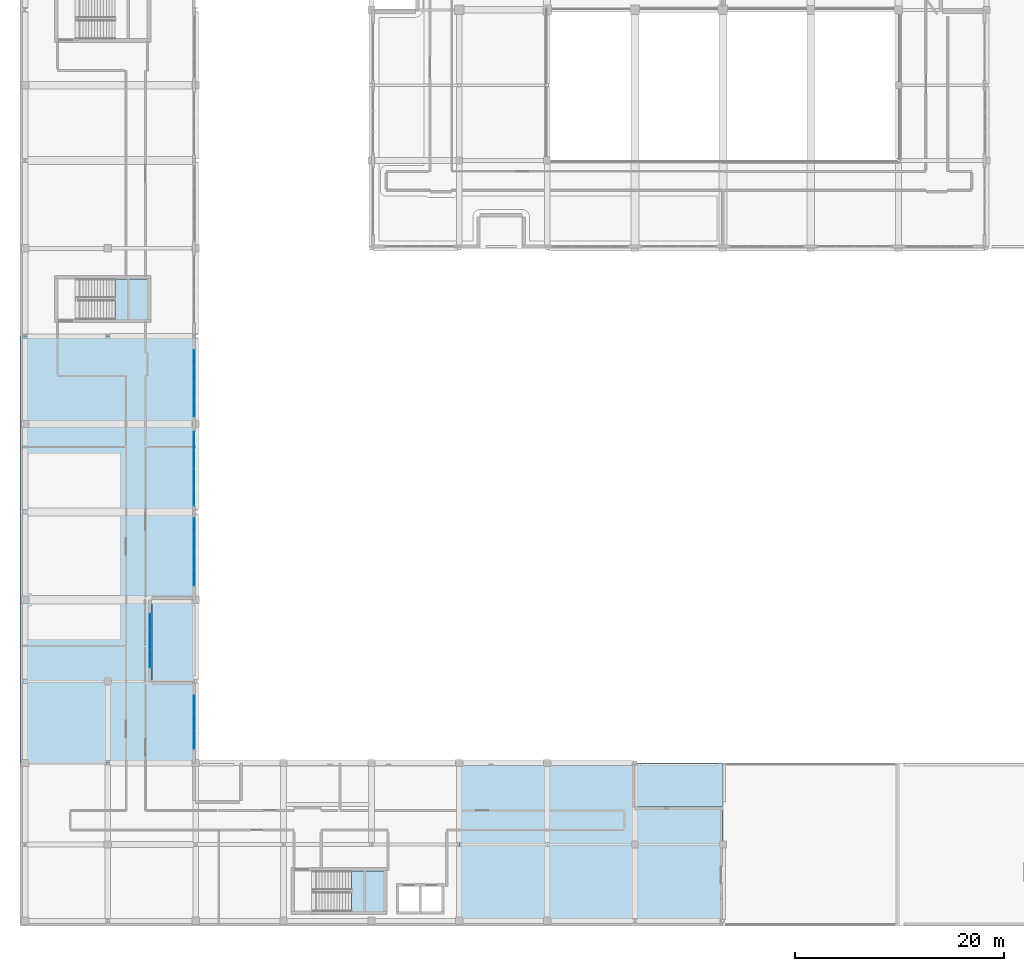
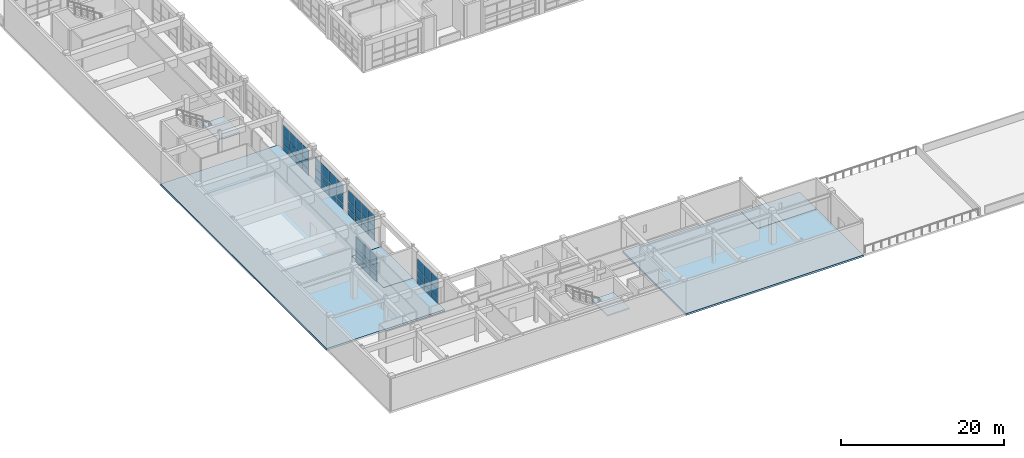
# One storey, part 49 of 78: 54 plates, 6 slabs, 7 elements without a shape of their own.
"""IFC4 building model written with IfcOpenShell, lengths in metres."""

from ifc_helpers import new_model, si_unit, direction, frame, origin, origin_2d, place, context, subcontext, project, spatial, polyline, rectangle, outline, extrude, material, layer, layer_set, type_object, element, aggregate, save


model = new_model("IFC4")

# Units and contexts
model_context = context("Model", 3, precision=1e-05, world=origin(), true_north=direction((0.0, 1.0)))
body_context = subcontext(model_context, "Body", "Model", "MODEL_VIEW")
ifc_project = project(units=[si_unit("LENGTHUNIT", "METRE"), si_unit("AREAUNIT", "SQUARE_METRE"), si_unit("VOLUMEUNIT", "CUBIC_METRE"), si_unit("PLANEANGLEUNIT", "RADIAN"), si_unit("MASSUNIT", "GRAM", prefix="KILO")], contexts=[model_context])

# Site, building, storey
site_placement = place(None, origin())
site = spatial("IfcSite", under=ifc_project, at=site_placement, CompositionType="ELEMENT")
building_placement = place(site_placement, origin())
building = spatial("IfcBuilding", under=site, at=building_placement, Name="Quendrovan Civic Courthouse", CompositionType="ELEMENT")
storey_placement = place(building_placement, frame((0.0, 0.0, 10.199951171875)))
storey = spatial("IfcBuildingStorey", under=building, at=storey_placement, Name="L03", CompositionType="ELEMENT", Elevation=10.199951171875)

# Curtain wall, plates
ifc_material_1 = material(Name="Bronze anodised aluminium and low-E glass", Category="aluminium")
ifc_layer_1 = layer(ifc_material_1, 0.179931640625, Name="Bronze anodised aluminium and low-E glass")
ifc_layer_set_1 = layer_set([ifc_layer_1], Name="Bronze anodised aluminium and low-E glass")
curtain_wall_type_1 = type_object("IfcCurtainWallType", Name="CW-U72x39", PredefinedType="USERDEFINED", material=ifc_layer_set_1)
curtain_wall_1_placement = place(storey_placement, origin())
curtain_wall_1 = element("IfcCurtainWall", 1, at=curtain_wall_1_placement, inside=storey, type_object=curtain_wall_type_1, Name="L03 Unitised Hurricane Curtain Wall CW-124", ObjectType="UNITISED CURTAIN WALL", PredefinedType="USERDEFINED")
ifc_material_2 = material(Name="Laminated hurricane-impact low-E glass", Category="glass")
ifc_layer_2 = layer(ifc_material_2, 0.028076171875, Name="Laminated hurricane-impact low-E glass")
ifc_layer_set_2 = layer_set([ifc_layer_2], Name="Laminated hurricane-impact low-E glass")
plate_type_1 = type_object("IfcPlateType", Name="CW-PNL-1", PredefinedType="CURTAIN_PANEL", material=ifc_layer_set_2)
plate_1_placement = place(storey_placement, frame((16.635009765625, 46.38720703125, 0.06982421875), z_axis=(0.0, 0.0, 1.0), x_axis=(0.0, -1.0, 0.0)))
plate_1 = element("IfcPlate", 2, at=plate_1_placement, type_object=plate_type_1, Name="CW-124 panel 1.1", PredefinedType="CURTAIN_PANEL", context=body_context, shape_type="SweptSolid", body=[
    extrude(rectangle(XDim=1.685791015625, YDim=0.028076171875, at=origin_2d()), origin(), (0.0, 0.0, 1.0), 0.844970703125),
])
plate_2_placement = place(storey_placement, frame((16.635009765625, 46.38720703125, 0.985107421875), z_axis=(0.0, 0.0, 1.0), x_axis=(0.0, -1.0, 0.0)))
plate_2 = element("IfcPlate", 3, at=plate_2_placement, type_object=plate_type_1, Name="CW-124 panel 1.2", PredefinedType="CURTAIN_PANEL", context=body_context, shape_type="SweptSolid", body=[
    extrude(rectangle(XDim=1.685791015625, YDim=0.028076171875, at=origin_2d()), origin(), (0.0, 0.0, 1.0), 1.1298828125),
])
plate_3_placement = place(storey_placement, frame((16.635009765625, 46.38720703125, 2.18505859375), z_axis=(0.0, 0.0, 1.0), x_axis=(0.0, -1.0, 0.0)))
plate_3 = element("IfcPlate", 4, at=plate_3_placement, type_object=plate_type_1, Name="CW-124 panel 1.3", PredefinedType="CURTAIN_PANEL", context=body_context, shape_type="SweptSolid", body=[
    extrude(rectangle(XDim=1.685791015625, YDim=0.028076171875, at=origin_2d()), origin(), (0.0, 0.0, 1.0), 1.64501953125),
])
plate_4_placement = place(storey_placement, frame((16.635009765625, 44.61376953125, 0.06982421875), z_axis=(0.0, 0.0, 1.0), x_axis=(0.0, -1.0, 0.0)))
plate_4 = element("IfcPlate", 5, at=plate_4_placement, type_object=plate_type_1, Name="CW-124 panel 2.1", PredefinedType="CURTAIN_PANEL", context=body_context, shape_type="SweptSolid", body=[
    extrude(rectangle(XDim=1.720703125, YDim=0.028076171875, at=origin_2d()), origin(), (0.0, 0.0, 1.0), 0.844970703125),
])
plate_5_placement = place(storey_placement, frame((16.635009765625, 44.61376953125, 0.985107421875), z_axis=(0.0, 0.0, 1.0), x_axis=(0.0, -1.0, 0.0)))
plate_5 = element("IfcPlate", 6, at=plate_5_placement, type_object=plate_type_1, Name="CW-124 panel 2.2", PredefinedType="CURTAIN_PANEL", context=body_context, shape_type="SweptSolid", body=[
    extrude(rectangle(XDim=1.720703125, YDim=0.028076171875, at=origin_2d()), origin(), (0.0, 0.0, 1.0), 1.1298828125),
])
plate_6_placement = place(storey_placement, frame((16.635009765625, 44.61376953125, 2.18505859375), z_axis=(0.0, 0.0, 1.0), x_axis=(0.0, -1.0, 0.0)))
plate_6 = element("IfcPlate", 7, at=plate_6_placement, type_object=plate_type_1, Name="CW-124 panel 2.3", PredefinedType="CURTAIN_PANEL", context=body_context, shape_type="SweptSolid", body=[
    extrude(rectangle(XDim=1.720703125, YDim=0.028076171875, at=origin_2d()), origin(), (0.0, 0.0, 1.0), 1.64501953125),
])
plate_7_placement = place(storey_placement, frame((16.635009765625, 42.8232421875, 0.06982421875), z_axis=(0.0, 0.0, 1.0), x_axis=(0.0, -1.0, 0.0)))
plate_7 = element("IfcPlate", 8, at=plate_7_placement, type_object=plate_type_1, Name="CW-124 panel 3.1", PredefinedType="CURTAIN_PANEL", context=body_context, shape_type="SweptSolid", body=[
    extrude(rectangle(XDim=1.720703125, YDim=0.028076171875, at=origin_2d()), origin(), (0.0, 0.0, 1.0), 0.844970703125),
])
plate_8_placement = place(storey_placement, frame((16.635009765625, 42.8232421875, 0.985107421875), z_axis=(0.0, 0.0, 1.0), x_axis=(0.0, -1.0, 0.0)))
plate_8 = element("IfcPlate", 9, at=plate_8_placement, type_object=plate_type_1, Name="CW-124 panel 3.2", PredefinedType="CURTAIN_PANEL", context=body_context, shape_type="SweptSolid", body=[
    extrude(rectangle(XDim=1.720703125, YDim=0.028076171875, at=origin_2d()), origin(), (0.0, 0.0, 1.0), 1.1298828125),
])
plate_9_placement = place(storey_placement, frame((16.635009765625, 42.8232421875, 2.18505859375), z_axis=(0.0, 0.0, 1.0), x_axis=(0.0, -1.0, 0.0)))
plate_9 = element("IfcPlate", 10, at=plate_9_placement, type_object=plate_type_1, Name="CW-124 panel 3.3", PredefinedType="CURTAIN_PANEL", context=body_context, shape_type="SweptSolid", body=[
    extrude(rectangle(XDim=1.720703125, YDim=0.028076171875, at=origin_2d()), origin(), (0.0, 0.0, 1.0), 1.64501953125),
])
plate_10_placement = place(storey_placement, frame((16.635009765625, 41.0498046875, 0.06982421875), z_axis=(0.0, 0.0, 1.0), x_axis=(0.0, -1.0, 0.0)))
plate_10 = element("IfcPlate", 11, at=plate_10_placement, type_object=plate_type_1, Name="CW-124 panel 4.1", PredefinedType="CURTAIN_PANEL", context=body_context, shape_type="SweptSolid", body=[
    extrude(rectangle(XDim=1.685791015625, YDim=0.028076171875, at=origin_2d()), origin(), (0.0, 0.0, 1.0), 0.844970703125),
])
plate_11_placement = place(storey_placement, frame((16.635009765625, 41.0498046875, 0.985107421875), z_axis=(0.0, 0.0, 1.0), x_axis=(0.0, -1.0, 0.0)))
plate_11 = element("IfcPlate", 12, at=plate_11_placement, type_object=plate_type_1, Name="CW-124 panel 4.2", PredefinedType="CURTAIN_PANEL", context=body_context, shape_type="SweptSolid", body=[
    extrude(rectangle(XDim=1.685791015625, YDim=0.028076171875, at=origin_2d()), origin(), (0.0, 0.0, 1.0), 1.1298828125),
])
plate_12_placement = place(storey_placement, frame((16.635009765625, 41.0498046875, 2.18505859375), z_axis=(0.0, 0.0, 1.0), x_axis=(0.0, -1.0, 0.0)))
plate_12 = element("IfcPlate", 13, at=plate_12_placement, type_object=plate_type_1, Name="CW-124 panel 4.3", PredefinedType="CURTAIN_PANEL", context=body_context, shape_type="SweptSolid", body=[
    extrude(rectangle(XDim=1.685791015625, YDim=0.028076171875, at=origin_2d()), origin(), (0.0, 0.0, 1.0), 1.64501953125),
])
aggregate(curtain_wall_1, [plate_1, plate_2, plate_3, plate_4, plate_5, plate_6, plate_7, plate_8, plate_9, plate_10, plate_11, plate_12])

ifc_layer_3 = layer(ifc_material_1, 0.179931640625, Name="Bronze anodised aluminium and low-E glass")
ifc_layer_set_3 = layer_set([ifc_layer_3], Name="Bronze anodised aluminium and low-E glass")
curtain_wall_type_2 = type_object("IfcCurtainWallType", Name="CW-U66x39", PredefinedType="USERDEFINED", material=ifc_layer_set_3)
curtain_wall_2_placement = place(storey_placement, origin())
curtain_wall_2 = element("IfcCurtainWall", 14, at=curtain_wall_2_placement, inside=storey, type_object=curtain_wall_type_2, Name="L03 Unitised Hurricane Curtain Wall CW-125", ObjectType="UNITISED CURTAIN WALL", PredefinedType="USERDEFINED")
ifc_layer_4 = layer(ifc_material_2, 0.031982421875, Name="Laminated hurricane-impact low-E glass")
ifc_layer_set_4 = layer_set([ifc_layer_4], Name="Laminated hurricane-impact low-E glass")
plate_type_2 = type_object("IfcPlateType", Name="CW-PNL-2", PredefinedType="CURTAIN_PANEL", material=ifc_layer_set_4)
plate_13_placement = place(storey_placement, frame((16.635009765625, 38.226318359375, 0.06494140625), z_axis=(0.0, 0.0, 1.0), x_axis=(0.0, -1.0, 0.0)))
plate_13 = element("IfcPlate", 15, at=plate_13_placement, type_object=plate_type_2, Name="CW-125 panel 1.1", PredefinedType="CURTAIN_PANEL", context=body_context, shape_type="SweptSolid", body=[
    extrude(rectangle(XDim=1.543212890625, YDim=0.031982421875, at=origin_2d()), origin(), (0.0, 0.0, 1.0), 0.8525390625),
])
plate_14_placement = place(storey_placement, frame((16.635009765625, 38.226318359375, 0.982421875), z_axis=(0.0, 0.0, 1.0), x_axis=(0.0, -1.0, 0.0)))
plate_14 = element("IfcPlate", 16, at=plate_14_placement, type_object=plate_type_2, Name="CW-125 panel 1.2", PredefinedType="CURTAIN_PANEL", context=body_context, shape_type="SweptSolid", body=[
    extrude(rectangle(XDim=1.543212890625, YDim=0.031982421875, at=origin_2d()), origin(), (0.0, 0.0, 1.0), 1.135009765625),
])
plate_15_placement = place(storey_placement, frame((16.635009765625, 38.226318359375, 2.1826171875), z_axis=(0.0, 0.0, 1.0), x_axis=(0.0, -1.0, 0.0)))
plate_15 = element("IfcPlate", 17, at=plate_15_placement, type_object=plate_type_2, Name="CW-125 panel 1.3", PredefinedType="CURTAIN_PANEL", context=body_context, shape_type="SweptSolid", body=[
    extrude(rectangle(XDim=1.543212890625, YDim=0.031982421875, at=origin_2d()), origin(), (0.0, 0.0, 1.0), 1.652587890625),
])
plate_16_placement = place(storey_placement, frame((16.635009765625, 36.601806640625, 0.06494140625), z_axis=(0.0, 0.0, 1.0), x_axis=(0.0, -1.0, 0.0)))
plate_16 = element("IfcPlate", 18, at=plate_16_placement, type_object=plate_type_2, Name="CW-125 panel 2.1", PredefinedType="CURTAIN_PANEL", context=body_context, shape_type="SweptSolid", body=[
    extrude(rectangle(XDim=1.57568359375, YDim=0.031982421875, at=origin_2d()), origin(), (0.0, 0.0, 1.0), 0.8525390625),
])
plate_17_placement = place(storey_placement, frame((16.635009765625, 36.601806640625, 0.982421875), z_axis=(0.0, 0.0, 1.0), x_axis=(0.0, -1.0, 0.0)))
plate_17 = element("IfcPlate", 19, at=plate_17_placement, type_object=plate_type_2, Name="CW-125 panel 2.2", PredefinedType="CURTAIN_PANEL", context=body_context, shape_type="SweptSolid", body=[
    extrude(rectangle(XDim=1.57568359375, YDim=0.031982421875, at=origin_2d()), origin(), (0.0, 0.0, 1.0), 1.135009765625),
])
plate_18_placement = place(storey_placement, frame((16.635009765625, 36.601806640625, 2.1826171875), z_axis=(0.0, 0.0, 1.0), x_axis=(0.0, -1.0, 0.0)))
plate_18 = element("IfcPlate", 20, at=plate_18_placement, type_object=plate_type_2, Name="CW-125 panel 2.3", PredefinedType="CURTAIN_PANEL", context=body_context, shape_type="SweptSolid", body=[
    extrude(rectangle(XDim=1.57568359375, YDim=0.031982421875, at=origin_2d()), origin(), (0.0, 0.0, 1.0), 1.652587890625),
])
plate_19_placement = place(storey_placement, frame((16.635009765625, 34.961181640625, 0.06494140625), z_axis=(0.0, 0.0, 1.0), x_axis=(0.0, -1.0, 0.0)))
plate_19 = element("IfcPlate", 21, at=plate_19_placement, type_object=plate_type_2, Name="CW-125 panel 3.1", PredefinedType="CURTAIN_PANEL", context=body_context, shape_type="SweptSolid", body=[
    extrude(rectangle(XDim=1.57568359375, YDim=0.031982421875, at=origin_2d()), origin(), (0.0, 0.0, 1.0), 0.8525390625),
])
plate_20_placement = place(storey_placement, frame((16.635009765625, 34.961181640625, 0.982421875), z_axis=(0.0, 0.0, 1.0), x_axis=(0.0, -1.0, 0.0)))
plate_20 = element("IfcPlate", 22, at=plate_20_placement, type_object=plate_type_2, Name="CW-125 panel 3.2", PredefinedType="CURTAIN_PANEL", context=body_context, shape_type="SweptSolid", body=[
    extrude(rectangle(XDim=1.57568359375, YDim=0.031982421875, at=origin_2d()), origin(), (0.0, 0.0, 1.0), 1.135009765625),
])
plate_21_placement = place(storey_placement, frame((16.635009765625, 34.961181640625, 2.1826171875), z_axis=(0.0, 0.0, 1.0), x_axis=(0.0, -1.0, 0.0)))
plate_21 = element("IfcPlate", 23, at=plate_21_placement, type_object=plate_type_2, Name="CW-125 panel 3.3", PredefinedType="CURTAIN_PANEL", context=body_context, shape_type="SweptSolid", body=[
    extrude(rectangle(XDim=1.57568359375, YDim=0.031982421875, at=origin_2d()), origin(), (0.0, 0.0, 1.0), 1.652587890625),
])
plate_22_placement = place(storey_placement, frame((16.635009765625, 33.336669921875, 0.06494140625), z_axis=(0.0, 0.0, 1.0), x_axis=(0.0, -1.0, 0.0)))
plate_22 = element("IfcPlate", 24, at=plate_22_placement, type_object=plate_type_2, Name="CW-125 panel 4.1", PredefinedType="CURTAIN_PANEL", context=body_context, shape_type="SweptSolid", body=[
    extrude(rectangle(XDim=1.543212890625, YDim=0.031982421875, at=origin_2d()), origin(), (0.0, 0.0, 1.0), 0.8525390625),
])
plate_23_placement = place(storey_placement, frame((16.635009765625, 33.336669921875, 0.982421875), z_axis=(0.0, 0.0, 1.0), x_axis=(0.0, -1.0, 0.0)))
plate_23 = element("IfcPlate", 25, at=plate_23_placement, type_object=plate_type_2, Name="CW-125 panel 4.2", PredefinedType="CURTAIN_PANEL", context=body_context, shape_type="SweptSolid", body=[
    extrude(rectangle(XDim=1.543212890625, YDim=0.031982421875, at=origin_2d()), origin(), (0.0, 0.0, 1.0), 1.135009765625),
])
plate_24_placement = place(storey_placement, frame((16.635009765625, 33.336669921875, 2.1826171875), z_axis=(0.0, 0.0, 1.0), x_axis=(0.0, -1.0, 0.0)))
plate_24 = element("IfcPlate", 26, at=plate_24_placement, type_object=plate_type_2, Name="CW-125 panel 4.3", PredefinedType="CURTAIN_PANEL", context=body_context, shape_type="SweptSolid", body=[
    extrude(rectangle(XDim=1.543212890625, YDim=0.031982421875, at=origin_2d()), origin(), (0.0, 0.0, 1.0), 1.652587890625),
])
aggregate(curtain_wall_2, [plate_13, plate_14, plate_15, plate_16, plate_17, plate_18, plate_19, plate_20, plate_21, plate_22, plate_23, plate_24])

ifc_layer_5 = layer(ifc_material_1, 0.179931640625, Name="Bronze anodised aluminium and low-E glass")
ifc_layer_set_5 = layer_set([ifc_layer_5], Name="Bronze anodised aluminium and low-E glass")
curtain_wall_type_3 = type_object("IfcCurtainWallType", Name="CW-U52x39", PredefinedType="USERDEFINED", material=ifc_layer_set_5)
curtain_wall_3_placement = place(storey_placement, origin())
curtain_wall_3 = element("IfcCurtainWall", 27, at=curtain_wall_3_placement, inside=storey, type_object=curtain_wall_type_3, Name="L03 Unitised Hurricane Curtain Wall CW-126", ObjectType="UNITISED CURTAIN WALL", PredefinedType="USERDEFINED")
ifc_layer_6 = layer(ifc_material_2, 0.035888671875, Name="Laminated hurricane-impact low-E glass")
ifc_layer_set_6 = layer_set([ifc_layer_6], Name="Laminated hurricane-impact low-E glass")
plate_type_3 = type_object("IfcPlateType", Name="CW-PNL-3", PredefinedType="CURTAIN_PANEL", material=ifc_layer_set_6)
plate_25_placement = place(storey_placement, frame((12.43505859375, 29.015869140625, 0.06982421875), z_axis=(0.0, 0.0, 1.0), x_axis=(0.0, -1.0, 0.0)))
plate_25 = element("IfcPlate", 28, at=plate_25_placement, type_object=plate_type_3, Name="CW-126 panel 1.1", PredefinedType="CURTAIN_PANEL", context=body_context, shape_type="SweptSolid", body=[
    extrude(rectangle(XDim=1.62841796875, YDim=0.035888671875, at=origin_2d()), origin(), (0.0, 0.0, 1.0), 0.844970703125),
])
plate_26_placement = place(storey_placement, frame((12.43505859375, 29.015869140625, 0.985107421875), z_axis=(0.0, 0.0, 1.0), x_axis=(0.0, -1.0, 0.0)))
plate_26 = element("IfcPlate", 29, at=plate_26_placement, type_object=plate_type_3, Name="CW-126 panel 1.2", PredefinedType="CURTAIN_PANEL", context=body_context, shape_type="SweptSolid", body=[
    extrude(rectangle(XDim=1.62841796875, YDim=0.035888671875, at=origin_2d()), origin(), (0.0, 0.0, 1.0), 1.1298828125),
])
plate_27_placement = place(storey_placement, frame((12.43505859375, 29.015869140625, 2.18505859375), z_axis=(0.0, 0.0, 1.0), x_axis=(0.0, -1.0, 0.0)))
plate_27 = element("IfcPlate", 30, at=plate_27_placement, type_object=plate_type_3, Name="CW-126 panel 1.3", PredefinedType="CURTAIN_PANEL", context=body_context, shape_type="SweptSolid", body=[
    extrude(rectangle(XDim=1.62841796875, YDim=0.035888671875, at=origin_2d()), origin(), (0.0, 0.0, 1.0), 1.64501953125),
])
plate_28_placement = place(storey_placement, frame((12.43505859375, 27.300048828125, 0.06982421875), z_axis=(0.0, 0.0, 1.0), x_axis=(0.0, -1.0, 0.0)))
plate_28 = element("IfcPlate", 31, at=plate_28_placement, type_object=plate_type_3, Name="CW-126 panel 2.1", PredefinedType="CURTAIN_PANEL", context=body_context, shape_type="SweptSolid", body=[
    extrude(rectangle(XDim=1.663330078125, YDim=0.035888671875, at=origin_2d()), origin(), (0.0, 0.0, 1.0), 0.844970703125),
])
plate_29_placement = place(storey_placement, frame((12.43505859375, 27.300048828125, 0.985107421875), z_axis=(0.0, 0.0, 1.0), x_axis=(0.0, -1.0, 0.0)))
plate_29 = element("IfcPlate", 32, at=plate_29_placement, type_object=plate_type_3, Name="CW-126 panel 2.2", PredefinedType="CURTAIN_PANEL", context=body_context, shape_type="SweptSolid", body=[
    extrude(rectangle(XDim=1.663330078125, YDim=0.035888671875, at=origin_2d()), origin(), (0.0, 0.0, 1.0), 1.1298828125),
])
plate_30_placement = place(storey_placement, frame((12.43505859375, 27.300048828125, 2.18505859375), z_axis=(0.0, 0.0, 1.0), x_axis=(0.0, -1.0, 0.0)))
plate_30 = element("IfcPlate", 33, at=plate_30_placement, type_object=plate_type_3, Name="CW-126 panel 2.3", PredefinedType="CURTAIN_PANEL", context=body_context, shape_type="SweptSolid", body=[
    extrude(rectangle(XDim=1.663330078125, YDim=0.035888671875, at=origin_2d()), origin(), (0.0, 0.0, 1.0), 1.64501953125),
])
plate_31_placement = place(storey_placement, frame((12.43505859375, 25.584228515625, 0.06982421875), z_axis=(0.0, 0.0, 1.0), x_axis=(0.0, -1.0, 0.0)))
plate_31 = element("IfcPlate", 34, at=plate_31_placement, type_object=plate_type_3, Name="CW-126 panel 3.1", PredefinedType="CURTAIN_PANEL", context=body_context, shape_type="SweptSolid", body=[
    extrude(rectangle(XDim=1.62841796875, YDim=0.035888671875, at=origin_2d()), origin(), (0.0, 0.0, 1.0), 0.844970703125),
])
plate_32_placement = place(storey_placement, frame((12.43505859375, 25.584228515625, 0.985107421875), z_axis=(0.0, 0.0, 1.0), x_axis=(0.0, -1.0, 0.0)))
plate_32 = element("IfcPlate", 35, at=plate_32_placement, type_object=plate_type_3, Name="CW-126 panel 3.2", PredefinedType="CURTAIN_PANEL", context=body_context, shape_type="SweptSolid", body=[
    extrude(rectangle(XDim=1.62841796875, YDim=0.035888671875, at=origin_2d()), origin(), (0.0, 0.0, 1.0), 1.1298828125),
])
plate_33_placement = place(storey_placement, frame((12.43505859375, 25.584228515625, 2.18505859375), z_axis=(0.0, 0.0, 1.0), x_axis=(0.0, -1.0, 0.0)))
plate_33 = element("IfcPlate", 36, at=plate_33_placement, type_object=plate_type_3, Name="CW-126 panel 3.3", PredefinedType="CURTAIN_PANEL", context=body_context, shape_type="SweptSolid", body=[
    extrude(rectangle(XDim=1.62841796875, YDim=0.035888671875, at=origin_2d()), origin(), (0.0, 0.0, 1.0), 1.64501953125),
])
aggregate(curtain_wall_3, [plate_25, plate_26, plate_27, plate_28, plate_29, plate_30, plate_31, plate_32, plate_33])

ifc_layer_7 = layer(ifc_material_1, 0.179931640625, Name="Bronze anodised aluminium and low-E glass")
ifc_layer_set_7 = layer_set([ifc_layer_7], Name="Bronze anodised aluminium and low-E glass")
curtain_wall_type_4 = type_object("IfcCurtainWallType", Name="CW-U64x39", PredefinedType="USERDEFINED", material=ifc_layer_set_7)
curtain_wall_4_placement = place(storey_placement, origin())
curtain_wall_4 = element("IfcCurtainWall", 37, at=curtain_wall_4_placement, inside=storey, type_object=curtain_wall_type_4, Name="L03 Unitised Hurricane Curtain Wall CW-123", ObjectType="UNITISED CURTAIN WALL", PredefinedType="USERDEFINED")
ifc_layer_8 = layer(ifc_material_2, 0.0419921875, Name="Laminated hurricane-impact low-E glass")
ifc_layer_set_8 = layer_set([ifc_layer_8], Name="Laminated hurricane-impact low-E glass")
plate_type_4 = type_object("IfcPlateType", Name="CW-PNL-4", PredefinedType="CURTAIN_PANEL", material=ifc_layer_set_8)
plate_34_placement = place(storey_placement, frame((16.635009765625, 54.28369140625, 0.06494140625), z_axis=(0.0, 0.0, 1.0), x_axis=(0.0, -1.0, 0.0)))
plate_34 = element("IfcPlate", 38, at=plate_34_placement, type_object=plate_type_4, Name="CW-123 panel 1.1", PredefinedType="CURTAIN_PANEL", context=body_context, shape_type="SweptSolid", body=[
    extrude(rectangle(XDim=1.50244140625, YDim=0.0419921875, at=origin_2d()), origin(), (0.0, 0.0, 1.0), 0.8525390625),
])
plate_35_placement = place(storey_placement, frame((16.635009765625, 54.28369140625, 0.982421875), z_axis=(0.0, 0.0, 1.0), x_axis=(0.0, -1.0, 0.0)))
plate_35 = element("IfcPlate", 39, at=plate_35_placement, type_object=plate_type_4, Name="CW-123 panel 1.2", PredefinedType="CURTAIN_PANEL", context=body_context, shape_type="SweptSolid", body=[
    extrude(rectangle(XDim=1.50244140625, YDim=0.0419921875, at=origin_2d()), origin(), (0.0, 0.0, 1.0), 1.135009765625),
])
plate_36_placement = place(storey_placement, frame((16.635009765625, 54.28369140625, 2.1826171875), z_axis=(0.0, 0.0, 1.0), x_axis=(0.0, -1.0, 0.0)))
plate_36 = element("IfcPlate", 40, at=plate_36_placement, type_object=plate_type_4, Name="CW-123 panel 1.3", PredefinedType="CURTAIN_PANEL", context=body_context, shape_type="SweptSolid", body=[
    extrude(rectangle(XDim=1.50244140625, YDim=0.0419921875, at=origin_2d()), origin(), (0.0, 0.0, 1.0), 1.652587890625),
])
plate_37_placement = place(storey_placement, frame((16.635009765625, 52.699951171875, 0.06494140625), z_axis=(0.0, 0.0, 1.0), x_axis=(0.0, -1.0, 0.0)))
plate_37 = element("IfcPlate", 41, at=plate_37_placement, type_object=plate_type_4, Name="CW-123 panel 2.1", PredefinedType="CURTAIN_PANEL", context=body_context, shape_type="SweptSolid", body=[
    extrude(rectangle(XDim=1.534912109375, YDim=0.0419921875, at=origin_2d()), origin(), (0.0, 0.0, 1.0), 0.8525390625),
])
plate_38_placement = place(storey_placement, frame((16.635009765625, 52.699951171875, 0.982421875), z_axis=(0.0, 0.0, 1.0), x_axis=(0.0, -1.0, 0.0)))
plate_38 = element("IfcPlate", 42, at=plate_38_placement, type_object=plate_type_4, Name="CW-123 panel 2.2", PredefinedType="CURTAIN_PANEL", context=body_context, shape_type="SweptSolid", body=[
    extrude(rectangle(XDim=1.534912109375, YDim=0.0419921875, at=origin_2d()), origin(), (0.0, 0.0, 1.0), 1.135009765625),
])
plate_39_placement = place(storey_placement, frame((16.635009765625, 52.699951171875, 2.1826171875), z_axis=(0.0, 0.0, 1.0), x_axis=(0.0, -1.0, 0.0)))
plate_39 = element("IfcPlate", 43, at=plate_39_placement, type_object=plate_type_4, Name="CW-123 panel 2.3", PredefinedType="CURTAIN_PANEL", context=body_context, shape_type="SweptSolid", body=[
    extrude(rectangle(XDim=1.534912109375, YDim=0.0419921875, at=origin_2d()), origin(), (0.0, 0.0, 1.0), 1.652587890625),
])
plate_40_placement = place(storey_placement, frame((16.635009765625, 51.10009765625, 0.06494140625), z_axis=(0.0, 0.0, 1.0), x_axis=(0.0, -1.0, 0.0)))
plate_40 = element("IfcPlate", 44, at=plate_40_placement, type_object=plate_type_4, Name="CW-123 panel 3.1", PredefinedType="CURTAIN_PANEL", context=body_context, shape_type="SweptSolid", body=[
    extrude(rectangle(XDim=1.534912109375, YDim=0.0419921875, at=origin_2d()), origin(), (0.0, 0.0, 1.0), 0.8525390625),
])
plate_41_placement = place(storey_placement, frame((16.635009765625, 51.10009765625, 0.982421875), z_axis=(0.0, 0.0, 1.0), x_axis=(0.0, -1.0, 0.0)))
plate_41 = element("IfcPlate", 45, at=plate_41_placement, type_object=plate_type_4, Name="CW-123 panel 3.2", PredefinedType="CURTAIN_PANEL", context=body_context, shape_type="SweptSolid", body=[
    extrude(rectangle(XDim=1.534912109375, YDim=0.0419921875, at=origin_2d()), origin(), (0.0, 0.0, 1.0), 1.135009765625),
])
plate_42_placement = place(storey_placement, frame((16.635009765625, 51.10009765625, 2.1826171875), z_axis=(0.0, 0.0, 1.0), x_axis=(0.0, -1.0, 0.0)))
plate_42 = element("IfcPlate", 46, at=plate_42_placement, type_object=plate_type_4, Name="CW-123 panel 3.3", PredefinedType="CURTAIN_PANEL", context=body_context, shape_type="SweptSolid", body=[
    extrude(rectangle(XDim=1.534912109375, YDim=0.0419921875, at=origin_2d()), origin(), (0.0, 0.0, 1.0), 1.652587890625),
])
plate_43_placement = place(storey_placement, frame((16.635009765625, 49.516357421875, 0.06494140625), z_axis=(0.0, 0.0, 1.0), x_axis=(0.0, -1.0, 0.0)))
plate_43 = element("IfcPlate", 47, at=plate_43_placement, type_object=plate_type_4, Name="CW-123 panel 4.1", PredefinedType="CURTAIN_PANEL", context=body_context, shape_type="SweptSolid", body=[
    extrude(rectangle(XDim=1.50244140625, YDim=0.0419921875, at=origin_2d()), origin(), (0.0, 0.0, 1.0), 0.8525390625),
])
plate_44_placement = place(storey_placement, frame((16.635009765625, 49.516357421875, 0.982421875), z_axis=(0.0, 0.0, 1.0), x_axis=(0.0, -1.0, 0.0)))
plate_44 = element("IfcPlate", 48, at=plate_44_placement, type_object=plate_type_4, Name="CW-123 panel 4.2", PredefinedType="CURTAIN_PANEL", context=body_context, shape_type="SweptSolid", body=[
    extrude(rectangle(XDim=1.50244140625, YDim=0.0419921875, at=origin_2d()), origin(), (0.0, 0.0, 1.0), 1.135009765625),
])
plate_45_placement = place(storey_placement, frame((16.635009765625, 49.516357421875, 2.1826171875), z_axis=(0.0, 0.0, 1.0), x_axis=(0.0, -1.0, 0.0)))
plate_45 = element("IfcPlate", 49, at=plate_45_placement, type_object=plate_type_4, Name="CW-123 panel 4.3", PredefinedType="CURTAIN_PANEL", context=body_context, shape_type="SweptSolid", body=[
    extrude(rectangle(XDim=1.50244140625, YDim=0.0419921875, at=origin_2d()), origin(), (0.0, 0.0, 1.0), 1.652587890625),
])
aggregate(curtain_wall_4, [plate_34, plate_35, plate_36, plate_37, plate_38, plate_39, plate_40, plate_41, plate_42, plate_43, plate_44, plate_45])

curtain_wall_5_placement = place(storey_placement, origin())
curtain_wall_5 = element("IfcCurtainWall", 50, at=curtain_wall_5_placement, inside=storey, type_object=curtain_wall_type_3, Name="L03 Unitised Hurricane Curtain Wall CW-127", ObjectType="UNITISED CURTAIN WALL", PredefinedType="USERDEFINED")
plate_46_placement = place(storey_placement, frame((16.635009765625, 21.217041015625, 0.06494140625), z_axis=(0.0, 0.0, 1.0), x_axis=(0.0, -1.0, 0.0)))
plate_46 = element("IfcPlate", 51, at=plate_46_placement, type_object=plate_type_4, Name="CW-127 panel 1.1", PredefinedType="CURTAIN_PANEL", context=body_context, shape_type="SweptSolid", body=[
    extrude(rectangle(XDim=1.6357421875, YDim=0.0419921875, at=origin_2d()), origin(), (0.0, 0.0, 1.0), 0.8525390625),
])
plate_47_placement = place(storey_placement, frame((16.635009765625, 21.217041015625, 0.982421875), z_axis=(0.0, 0.0, 1.0), x_axis=(0.0, -1.0, 0.0)))
plate_47 = element("IfcPlate", 52, at=plate_47_placement, type_object=plate_type_4, Name="CW-127 panel 1.2", PredefinedType="CURTAIN_PANEL", context=body_context, shape_type="SweptSolid", body=[
    extrude(rectangle(XDim=1.6357421875, YDim=0.0419921875, at=origin_2d()), origin(), (0.0, 0.0, 1.0), 1.135009765625),
])
plate_48_placement = place(storey_placement, frame((16.635009765625, 21.217041015625, 2.1826171875), z_axis=(0.0, 0.0, 1.0), x_axis=(0.0, -1.0, 0.0)))
plate_48 = element("IfcPlate", 53, at=plate_48_placement, type_object=plate_type_4, Name="CW-127 panel 1.3", PredefinedType="CURTAIN_PANEL", context=body_context, shape_type="SweptSolid", body=[
    extrude(rectangle(XDim=1.6357421875, YDim=0.0419921875, at=origin_2d()), origin(), (0.0, 0.0, 1.0), 1.652587890625),
])
plate_49_placement = place(storey_placement, frame((16.635009765625, 19.5, 0.06494140625), z_axis=(0.0, 0.0, 1.0), x_axis=(0.0, -1.0, 0.0)))
plate_49 = element("IfcPlate", 54, at=plate_49_placement, type_object=plate_type_4, Name="CW-127 panel 2.1", PredefinedType="CURTAIN_PANEL", context=body_context, shape_type="SweptSolid", body=[
    extrude(rectangle(XDim=1.668212890625, YDim=0.0419921875, at=origin_2d()), origin(), (0.0, 0.0, 1.0), 0.8525390625),
])
plate_50_placement = place(storey_placement, frame((16.635009765625, 19.5, 0.982421875), z_axis=(0.0, 0.0, 1.0), x_axis=(0.0, -1.0, 0.0)))
plate_50 = element("IfcPlate", 55, at=plate_50_placement, type_object=plate_type_4, Name="CW-127 panel 2.2", PredefinedType="CURTAIN_PANEL", context=body_context, shape_type="SweptSolid", body=[
    extrude(rectangle(XDim=1.668212890625, YDim=0.0419921875, at=origin_2d()), origin(), (0.0, 0.0, 1.0), 1.135009765625),
])
plate_51_placement = place(storey_placement, frame((16.635009765625, 19.5, 2.1826171875), z_axis=(0.0, 0.0, 1.0), x_axis=(0.0, -1.0, 0.0)))
plate_51 = element("IfcPlate", 56, at=plate_51_placement, type_object=plate_type_4, Name="CW-127 panel 2.3", PredefinedType="CURTAIN_PANEL", context=body_context, shape_type="SweptSolid", body=[
    extrude(rectangle(XDim=1.668212890625, YDim=0.0419921875, at=origin_2d()), origin(), (0.0, 0.0, 1.0), 1.652587890625),
])
plate_52_placement = place(storey_placement, frame((16.635009765625, 17.782958984375, 0.06494140625), z_axis=(0.0, 0.0, 1.0), x_axis=(0.0, -1.0, 0.0)))
plate_52 = element("IfcPlate", 57, at=plate_52_placement, type_object=plate_type_4, Name="CW-127 panel 3.1", PredefinedType="CURTAIN_PANEL", context=body_context, shape_type="SweptSolid", body=[
    extrude(rectangle(XDim=1.6357421875, YDim=0.0419921875, at=origin_2d()), origin(), (0.0, 0.0, 1.0), 0.8525390625),
])
plate_53_placement = place(storey_placement, frame((16.635009765625, 17.782958984375, 0.982421875), z_axis=(0.0, 0.0, 1.0), x_axis=(0.0, -1.0, 0.0)))
plate_53 = element("IfcPlate", 58, at=plate_53_placement, type_object=plate_type_4, Name="CW-127 panel 3.2", PredefinedType="CURTAIN_PANEL", context=body_context, shape_type="SweptSolid", body=[
    extrude(rectangle(XDim=1.6357421875, YDim=0.0419921875, at=origin_2d()), origin(), (0.0, 0.0, 1.0), 1.135009765625),
])
plate_54_placement = place(storey_placement, frame((16.635009765625, 17.782958984375, 2.1826171875), z_axis=(0.0, 0.0, 1.0), x_axis=(0.0, -1.0, 0.0)))
plate_54 = element("IfcPlate", 59, at=plate_54_placement, type_object=plate_type_4, Name="CW-127 panel 3.3", PredefinedType="CURTAIN_PANEL", context=body_context, shape_type="SweptSolid", body=[
    extrude(rectangle(XDim=1.6357421875, YDim=0.0419921875, at=origin_2d()), origin(), (0.0, 0.0, 1.0), 1.652587890625),
])
aggregate(curtain_wall_5, [plate_46, plate_47, plate_48, plate_49, plate_50, plate_51, plate_52, plate_53, plate_54])

# Slabs
ifc_material_3 = material(Name="Post-tensioned concrete C50/60", Category="concrete")
ifc_layer_9 = layer(ifc_material_3, 0.280029296875, Name="Post-tensioned concrete C50/60")
ifc_layer_set_9 = layer_set([ifc_layer_9], Name="Post-tensioned concrete C50/60")
slab_type_1 = type_object("IfcSlabType", Name="SLB-PT-280", PredefinedType="FLOOR", material=ifc_layer_set_9)
slab_1_placement = place(storey_placement, frame((0.0, 0.0, -0.280029296875)))
element("IfcSlab", 60, at=slab_1_placement, inside=storey, type_object=slab_type_1, Name="L03 Structural Floor Slab V5E", PredefinedType="FLOOR", context=body_context, shape_type="SweptSolid", body=[
    extrude(outline(polyline([(67.199951171875, 0.0), (42.0, 0.0), (42.0, 15.60009765625), (58.800048828125, 15.60009765625), (58.800048828125, 11.39990234375), (67.199951171875, 11.39990234375), (67.199951171875, 0.0)])), origin(), (0.0, 0.0, 1.0), 0.280029296875),
])
slab_2_placement = place(storey_placement, frame((0.0, 0.0, -0.280029296875)))
element("IfcSlab", 61, at=slab_2_placement, inside=storey, type_object=slab_type_1, Name="L03 Structural Floor Slab V4S", PredefinedType="FLOOR", context=body_context, shape_type="SweptSolid", body=[
    extrude(outline(polyline([(16.800048828125, 15.60009765625), (0.0, 15.60009765625), (0.0, 56.39990234375), (16.800048828125, 56.39990234375), (16.800048828125, 31.199951171875), (12.60009765625, 31.199951171875), (12.60009765625, 23.39990234375), (16.800048828125, 23.39990234375), (16.800048828125, 15.60009765625)])), origin(), (0.0, 0.0, 1.0), 0.280029296875),
])
ifc_material_4 = material(Name="Concrete C40/50", Category="concrete")
ifc_layer_10 = layer(ifc_material_4, 0.219970703125, Name="Concrete C40/50")
ifc_layer_set_10 = layer_set([ifc_layer_10], Name="Concrete C40/50")
slab_type_2 = type_object("IfcSlabType", Name="SLB-RC-220", PredefinedType="ROOF", material=ifc_layer_set_10)
slab_3_placement = place(storey_placement, frame((0.0, 0.0, -0.219970703125)))
element("IfcSlab", 62, at=slab_3_placement, inside=storey, type_object=slab_type_2, Name="L03 Step-Back Structural Roof Slab SLB-ROOF-L03-07", PredefinedType="ROOF", context=body_context, shape_type="SweptSolid", body=[
    extrude(outline(polyline([(58.800048828125, 15.60009765625), (67.179931640625, 15.60009765625), (67.179931640625, 11.39990234375), (58.800048828125, 11.39990234375), (58.800048828125, 15.60009765625)])), origin(), (0.0, 0.0, 1.0), 0.219970703125),
])
slab_4_placement = place(storey_placement, frame((0.0, 0.0, -0.219970703125)))
element("IfcSlab", 63, at=slab_4_placement, inside=storey, type_object=slab_type_2, Name="L03 Step-Back Structural Roof Slab SLB-ROOF-L03-09", PredefinedType="ROOF", context=body_context, shape_type="SweptSolid", body=[
    extrude(outline(polyline([(16.800048828125, 31.199951171875), (16.800048828125, 23.39990234375), (12.60009765625, 23.39990234375), (12.60009765625, 31.199951171875), (16.800048828125, 31.199951171875)])), origin(), (0.0, 0.0, 1.0), 0.219970703125),
])

# Stair, slab
stair_type = type_object("IfcStairType", Name="STR-CORE-5100", PredefinedType="HALF_TURN_STAIR", material=ifc_material_4)
stair_1_placement = place(storey_placement, origin())
stair_1 = element("IfcStair", 64, at=stair_1_placement, inside=storey, type_object=stair_type, Name="L03 Law Library Wing Exit Stair 4", PredefinedType="HALF_TURN_STAIR")
ifc_layer_11 = layer(ifc_material_4, 0.199951171875, Name="Concrete C40/50")
ifc_layer_set_11 = layer_set([ifc_layer_11], Name="Concrete C40/50")
slab_type_3 = type_object("IfcSlabType", Name="SLB-STAIR-LND200", PredefinedType="LANDING", material=ifc_layer_set_11)
slab_5_placement = place(storey_placement, frame((0.0, 0.0, 2.35009765625)))
slab_5 = element("IfcSlab", 65, at=slab_5_placement, type_object=slab_type_3, Name="ST4 landing 1", PredefinedType="LANDING", context=body_context, shape_type="SweptSolid", body=[
    extrude(outline(polyline([(9.090087890625, 58.0), (12.199951171875, 58.0), (12.199951171875, 61.8798828125), (9.090087890625, 61.8798828125), (9.090087890625, 58.0)])), origin(), (0.0, 0.0, 1.0), 0.199951171875),
])
aggregate(stair_1, [slab_5])

stair_2_placement = place(storey_placement, origin())
stair_2 = element("IfcStair", 66, at=stair_2_placement, inside=storey, type_object=stair_type, Name="L03 Custody Wing Secure Exit Stair 5", PredefinedType="HALF_TURN_STAIR")
slab_6_placement = place(storey_placement, frame((0.0, 0.0, 2.35009765625)))
slab_6 = element("IfcSlab", 67, at=slab_6_placement, type_object=slab_type_3, Name="ST5 landing 1", PredefinedType="LANDING", context=body_context, shape_type="SweptSolid", body=[
    extrude(outline(polyline([(31.68994140625, 1.39990234375), (34.800048828125, 1.39990234375), (34.800048828125, 5.280029296875), (31.68994140625, 5.280029296875), (31.68994140625, 1.39990234375)])), origin(), (0.0, 0.0, 1.0), 0.199951171875),
])
aggregate(stair_2, [slab_6])

save(model, "model.ifc")
